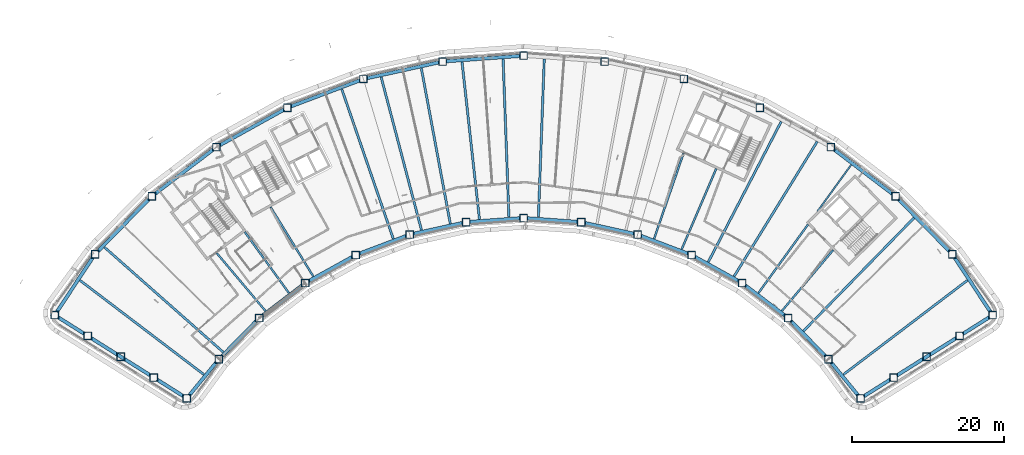
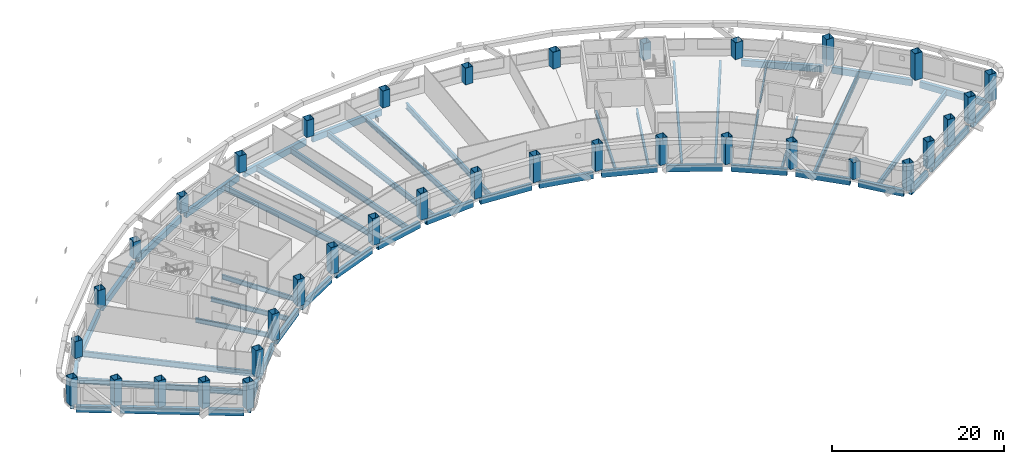
# One storey, part 1 of 19: 50 beams, 36 columns.
"""IFC4 building model written with IfcOpenShell, lengths in metres."""

from ifc_helpers import new_model, si_unit, direction, frame, origin, origin_2d, place, context, subcontext, project, spatial, hollow_rectangle, i_section, extrude, material, material_profile, profile_set, type_object, element, save


model = new_model("IFC4")

# Units and contexts
model_context = context("Model", 3, precision=1e-05, world=origin(), true_north=direction((0.0, 1.0)))
body_context = subcontext(model_context, "Body", "Model", "MODEL_VIEW")
ifc_project = project(units=[si_unit("LENGTHUNIT", "METRE"), si_unit("AREAUNIT", "SQUARE_METRE"), si_unit("VOLUMEUNIT", "CUBIC_METRE"), si_unit("PLANEANGLEUNIT", "RADIAN"), si_unit("MASSUNIT", "GRAM", prefix="KILO")], contexts=[model_context])

# Site, building, storey
site_placement = place(None, origin())
site = spatial("IfcSite", under=ifc_project, at=site_placement, CompositionType="ELEMENT")
building_placement = place(site_placement, origin())
building = spatial("IfcBuilding", under=site, at=building_placement, Name="Tuul Gate Civic Tower", CompositionType="ELEMENT")
storey_placement = place(building_placement, frame((0.0, 0.0, 163.39990234375)))
storey = spatial("IfcBuildingStorey", under=building, at=storey_placement, Name="Level 37", CompositionType="ELEMENT", Elevation=163.39990234375)

# Columns
ifc_material_1 = material(Name="Steel S355", Category="steel")
ifc_material_profile_1 = material_profile(ifc_material_1, hollow_rectangle(XDim=1.0, YDim=1.0, WallThickness=0.0400390625, at=origin_2d()), Name="BOX1000x1000x40")
ifc_profile_set_1 = profile_set([ifc_material_profile_1], Name="Steel S355")
column_type = type_object("IfcColumnType", Name="STR-COLUMN-BOX1000x1000x40", PredefinedType="COLUMN", material=ifc_profile_set_1)
for number, where, z_axis, x_axis, name in (
    (1, (67.044921875, -24.89697265625, 0.0), (0.0, 0.0, 1.0), (1.0, 0.0, 0.0), "Column"),
    (2, (61.74609375, -16.884033203125, 0.0), (0.0, 0.0, 1.0), (1.0, 0.0, 0.0), "Column"),
    (3, (54.27197265625, -9.259033203125, 0.0), (0.0, 0.0, 1.0), (1.0, 0.0, 0.0), "Column"),
):
    element("IfcColumn", number, at=place(storey_placement, frame(where, z_axis=z_axis, x_axis=x_axis)), inside=storey, type_object=column_type, Name=name, PredefinedType="COLUMN", context=body_context, shape_type="SweptSolid", body=[
        extrude(hollow_rectangle(XDim=1.0, YDim=1.0, WallThickness=0.0400390625, at=origin_2d()), origin(), (0.0, 0.0, 1.0), 3.800048828125),
    ])
for number, where, z_axis, x_axis, name in (
    (4, (45.77587890625, -2.791015625, 0.0), (0.0, 0.0, 1.0), (1.0, 0.0, 0.0), "Column"),
    (5, (36.43798828125, 2.385009765625, 0.0), (0.0, 0.0, 1.0), (1.0, 0.0, 0.0), "Column"),
    (6, (26.450927734375, 6.162109375, 0.0), (0.0, 0.0, 1.0), (1.0, 0.0, 0.0), "Column"),
    (7, (16.02294921875, 8.4599609375, 0.0), (0.0, 0.0, 1.0), (1.0, 0.0, 0.0), "Column"),
    (8, (5.3740234375, 9.23193359375, 0.0), (0.0, 0.0, 1.0), (1.0, 0.0, 0.0), "Column"),
    (9, (-5.27490234375, 8.4599609375, 0.0), (0.0, 0.0, 1.0), (1.0, 0.0, 0.0), "Column"),
    (10, (-15.702880859375, 6.162109375, 0.0), (0.0, 0.0, 1.0), (1.0, 0.0, 0.0), "Column"),
    (11, (-25.68994140625, 2.385009765625, 0.0), (0.0, 0.0, 1.0), (1.0, 0.0, 0.0), "Column"),
    (12, (-35.028076171875, -2.791015625, 0.0), (0.0, 0.0, 1.0), (1.0, 0.0, 0.0), "Column"),
    (13, (-43.52392578125, -9.259033203125, 0.0), (0.0, 0.0, 1.0), (1.0, 0.0, 0.0), "Column"),
    (14, (-50.998046875, -16.884033203125, 0.0), (0.0, 0.0, 1.0), (1.0, 0.0, 0.0), "Column"),
):
    element("IfcColumn", number, at=place(storey_placement, frame(where, z_axis=z_axis, x_axis=x_axis)), inside=storey, type_object=column_type, Name=name, PredefinedType="COLUMN", context=body_context, shape_type="SweptSolid", body=[
        extrude(hollow_rectangle(XDim=1.0, YDim=1.0, WallThickness=0.0400390625, at=origin_2d()), origin(), (0.0, 0.0, 1.0), 2.400146484375),
    ])
for number, where, z_axis, x_axis, name in (
    (15, (-56.297119140625, -24.89697265625, 0.0), (0.0, 0.0, 1.0), (1.0, 0.0, 0.0), "Column"),
    (16, (-51.9541015625, -27.631103515625, 0.0), (0.0, 0.0, 1.0), (1.0, 0.0, 0.0), "Column"),
    (17, (-47.612060546875, -30.365966796875, 0.0), (0.0, 0.0, 1.0), (1.0, 0.0, 0.0), "Column"),
    (18, (-43.26904296875, -33.10009765625, 0.0), (0.0, 0.0, 1.0), (1.0, 0.0, 0.0), "Column"),
    (19, (-38.927001953125, -35.8349609375, 0.0), (0.0, 0.0, 1.0), (1.0, 0.0, 0.0), "Column"),
    (20, (-34.70703125, -30.693115234375, 0.0), (0.0, 0.0, 1.0), (1.0, 0.0, 0.0), "Column"),
    (21, (-29.39306640625, -25.27099609375, 0.0), (0.0, 0.0, 1.0), (1.0, 0.0, 0.0), "Column"),
    (22, (-23.35302734375, -20.672119140625, 0.0), (0.0, 0.0, 1.0), (1.0, 0.0, 0.0), "Column"),
    (23, (-16.712890625, -16.991943359375, 0.0), (0.0, 0.0, 1.0), (1.0, 0.0, 0.0), "Column"),
    (24, (-9.612060546875, -14.306884765625, 0.0), (0.0, 0.0, 1.0), (1.0, 0.0, 0.0), "Column"),
    (25, (-2.197998046875, -12.673095703125, 0.0), (0.0, 0.0, 1.0), (1.0, 0.0, 0.0), "Column"),
    (26, (5.3740234375, -12.1240234375, 0.0), (0.0, 0.0, 1.0), (1.0, 0.0, 0.0), "Column"),
    (27, (12.946044921875, -12.673095703125, 0.0), (0.0, 0.0, 1.0), (1.0, 0.0, 0.0), "Column"),
    (28, (20.360107421875, -14.306884765625, 0.0), (0.0, 0.0, 1.0), (1.0, 0.0, 0.0), "Column"),
    (29, (27.4609375, -16.991943359375, 0.0), (0.0, 0.0, 1.0), (1.0, 0.0, 0.0), "Column"),
    (30, (34.10107421875, -20.672119140625, 0.0), (0.0, 0.0, 1.0), (1.0, 0.0, 0.0), "Column"),
    (31, (40.14111328125, -25.27099609375, 0.0), (0.0, 0.0, 1.0), (1.0, 0.0, 0.0), "Column"),
):
    element("IfcColumn", number, at=place(storey_placement, frame(where, z_axis=z_axis, x_axis=x_axis)), inside=storey, type_object=column_type, Name=name, PredefinedType="COLUMN", context=body_context, shape_type="SweptSolid", body=[
        extrude(hollow_rectangle(XDim=1.0, YDim=1.0, WallThickness=0.0400390625, at=origin_2d()), origin(), (0.0, 0.0, 1.0), 3.800048828125),
    ])
column_placement = place(storey_placement, frame((45.455078125, -30.693115234375, 0.0), z_axis=(0.0, 0.0, 1.0), x_axis=(1.0, 0.0, 0.0)))
element("IfcColumn", 32, at=column_placement, inside=storey, type_object=column_type, Name="Column", PredefinedType="COLUMN", context=body_context, shape_type="SweptSolid", body=[
    extrude(hollow_rectangle(XDim=1.0, YDim=1.0, WallThickness=0.0400390625, at=origin_2d()), origin(), (0.0, 0.0, 1.0), 2.400146484375),
])
for number, where, z_axis, x_axis, name in (
    (33, (49.675048828125, -35.8349609375, 0.0), (0.0, 0.0, 1.0), (1.0, 0.0, 0.0), "Column"),
    (34, (54.01708984375, -33.10009765625, 0.0), (0.0, 0.0, 1.0), (1.0, 0.0, 0.0), "Column"),
    (35, (58.360107421875, -30.365966796875, 0.0), (0.0, 0.0, 1.0), (1.0, 0.0, 0.0), "Column"),
    (36, (62.701904296875, -27.631103515625, 0.0), (0.0, 0.0, 1.0), (1.0, 0.0, 0.0), "Column"),
):
    element("IfcColumn", number, at=place(storey_placement, frame(where, z_axis=z_axis, x_axis=x_axis)), inside=storey, type_object=column_type, Name=name, PredefinedType="COLUMN", context=body_context, shape_type="SweptSolid", body=[
        extrude(hollow_rectangle(XDim=1.0, YDim=1.0, WallThickness=0.0400390625, at=origin_2d()), origin(), (0.0, 0.0, 1.0), 3.800048828125),
    ])

# Beams
ifc_material_2 = material(Name="Steel S355", Category="steel")
ifc_material_profile_2 = material_profile(ifc_material_2, i_section(OverallWidth=0.199951171875, OverallDepth=0.5, WebThickness=0.010009765625, FlangeThickness=0.01611328125, at=origin_2d()), Name="PG500x200x10x16")
ifc_profile_set_2 = profile_set([ifc_material_profile_2], Name="Steel S355")
beam_type_1 = type_object("IfcBeamType", Name="STR-FLOOR BEAM-PG500x200x10x16", PredefinedType="BEAM", material=ifc_profile_set_2)
beam_1_placement = place(storey_placement, frame((43.999267578125, -11.26806640625, -0.5498046875), z_axis=(0.586082415156, 0.810251444087, 0.0), x_axis=(-0.810251444087, 0.586082415156, 0.0)))
element("IfcBeam", 37, at=beam_1_placement, inside=storey, type_object=beam_type_1, Name="Floor beam", PredefinedType="BEAM", context=body_context, shape_type="SweptSolid", body=[
    extrude(i_section(OverallWidth=0.199951171875, OverallDepth=0.5, WebThickness=0.010009765625, FlangeThickness=0.01611328125, at=origin_2d()), origin(), (0.0, 0.0, 1.0), 7.573486328125),
])
ifc_material_3 = material(Name="Steel S355", Category="steel")
ifc_material_profile_3 = material_profile(ifc_material_3, i_section(OverallWidth=0.25, OverallDepth=0.64990234375, WebThickness=0.011962890625, FlangeThickness=0.02001953125, at=origin_2d()), Name="PG650x250x12x20")
ifc_profile_set_3 = profile_set([ifc_material_profile_3], Name="Steel S355")
beam_type_2 = type_object("IfcBeamType", Name="STR-FLOOR BEAM-PG650x250x12x20", PredefinedType="BEAM", material=ifc_profile_set_3)
beam_2_placement = place(storey_placement, frame((39.332275390625, -24.341064453125, -0.625), z_axis=(0.644139340378, 0.764908171075, 0.0), x_axis=(-0.764908171075, 0.644139340378, 0.0)))
element("IfcBeam", 38, at=beam_2_placement, inside=storey, type_object=beam_type_2, Name="Floor beam", PredefinedType="BEAM", context=body_context, shape_type="SweptSolid", body=[
    extrude(i_section(OverallWidth=0.25, OverallDepth=0.64990234375, WebThickness=0.011962890625, FlangeThickness=0.02001953125, at=origin_2d()), origin(), (0.0, 0.0, 1.0), 10.45751953125),
])
beam_3_placement = place(storey_placement, frame((36.244140625, -21.989501953125, -0.625), z_axis=(0.586079949971, 0.810253227234, 0.0), x_axis=(-0.810253227234, 0.586079949971, 0.0)))
element("IfcBeam", 39, at=beam_3_placement, inside=storey, type_object=beam_type_2, Name="Floor beam", PredefinedType="BEAM", context=body_context, shape_type="SweptSolid", body=[
    extrude(i_section(OverallWidth=0.25, OverallDepth=0.64990234375, WebThickness=0.011962890625, FlangeThickness=0.02001953125, at=origin_2d()), origin(), (0.0, 0.0, 1.0), 11.128173828125),
])
beam_4_placement = place(storey_placement, frame((26.150634765625, -16.229248046875, -0.625), z_axis=(0.394192627131, 0.919027841099, 0.0), x_axis=(-0.919027841099, 0.394192627131, 0.0)))
element("IfcBeam", 40, at=beam_4_placement, inside=storey, type_object=beam_type_2, Name="Floor beam", PredefinedType="BEAM", context=body_context, shape_type="SweptSolid", body=[
    extrude(i_section(OverallWidth=0.25, OverallDepth=0.64990234375, WebThickness=0.011962890625, FlangeThickness=0.02001953125, at=origin_2d()), origin(), (0.0, 0.0, 1.0), 11.533935546875),
])
beam_5_placement = place(storey_placement, frame((22.520263671875, -14.8564453125, -0.625), z_axis=(0.32548222654, 0.945548158587, 0.0), x_axis=(-0.945548158587, 0.32548222654, 0.0)))
element("IfcBeam", 41, at=beam_5_placement, inside=storey, type_object=beam_type_2, Name="Floor beam", PredefinedType="BEAM", context=body_context, shape_type="SweptSolid", body=[
    extrude(i_section(OverallWidth=0.25, OverallDepth=0.64990234375, WebThickness=0.011962890625, FlangeThickness=0.02001953125, at=origin_2d()), origin(), (0.0, 0.0, 1.0), 11.883544921875),
])
beam_6_placement = place(storey_placement, frame((-22.29248046875, -19.79833984375, -0.625), z_axis=(-0.524846383073, 0.851196965558, 0.0), x_axis=(-0.851196965558, -0.524846383073, 0.0)))
element("IfcBeam", 42, at=beam_6_placement, inside=storey, type_object=beam_type_2, Name="Floor beam", PredefinedType="BEAM", context=body_context, shape_type="SweptSolid", body=[
    extrude(i_section(OverallWidth=0.25, OverallDepth=0.64990234375, WebThickness=0.011962890625, FlangeThickness=0.02001953125, at=origin_2d()), origin(), (0.0, 0.0, 1.0), 10.7275390625),
])
beam_7_placement = place(storey_placement, frame((-25.49609375, -21.989501953125, -0.625), z_axis=(-0.586076139419, 0.810255983504, 0.0), x_axis=(-0.810255983504, -0.586076139419, 0.0)))
element("IfcBeam", 43, at=beam_7_placement, inside=storey, type_object=beam_type_2, Name="Floor beam", PredefinedType="BEAM", context=body_context, shape_type="SweptSolid", body=[
    extrude(i_section(OverallWidth=0.25, OverallDepth=0.64990234375, WebThickness=0.011962890625, FlangeThickness=0.02001953125, at=origin_2d()), origin(), (0.0, 0.0, 1.0), 9.922119140625),
])
beam_8_placement = place(storey_placement, frame((-28.584228515625, -24.341064453125, -0.625), z_axis=(-0.644136502782, 0.764910560644, 0.0), x_axis=(-0.764910560644, -0.644136502782, 0.0)))
element("IfcBeam", 44, at=beam_8_placement, inside=storey, type_object=beam_type_2, Name="Floor beam", PredefinedType="BEAM", context=body_context, shape_type="SweptSolid", body=[
    extrude(i_section(OverallWidth=0.25, OverallDepth=0.64990234375, WebThickness=0.011962890625, FlangeThickness=0.02001953125, at=origin_2d()), origin(), (0.0, 0.0, 1.0), 9.931396484375),
])
ifc_material_4 = material(Name="Steel S355", Category="steel")
ifc_material_profile_4 = material_profile(ifc_material_4, i_section(OverallWidth=0.300048828125, OverallDepth=0.800048828125, WebThickness=0.013916015625, FlangeThickness=0.02490234375, at=origin_2d()), Name="PG800x300x14x25")
ifc_profile_set_4 = profile_set([ifc_material_profile_4], Name="Steel S355")
beam_type_3 = type_object("IfcBeamType", Name="STR-FLOOR BEAM-PG800x300x14x25", PredefinedType="BEAM", material=ifc_profile_set_4)
beam_9_placement = place(storey_placement, frame((47.4287109375, -32.703857421875, -0.699951171875), z_axis=(0.796150928405, 0.60509809056, 0.0), x_axis=(-0.60509809056, 0.796150928405, 0.0)))
element("IfcBeam", 45, at=beam_9_placement, inside=storey, type_object=beam_type_3, Name="Floor beam", PredefinedType="BEAM", context=body_context, shape_type="SweptSolid", body=[
    extrude(i_section(OverallWidth=0.300048828125, OverallDepth=0.800048828125, WebThickness=0.013916015625, FlangeThickness=0.02490234375, at=origin_2d()), origin(), (0.0, 0.0, 1.0), 20.462646484375),
])
beam_10_placement = place(storey_placement, frame((42.172607421875, -26.986572265625, -0.699951171875), z_axis=(0.698684495675, 0.715429923544, 0.0), x_axis=(-0.715429923544, 0.698684495675, 0.0)))
element("IfcBeam", 46, at=beam_10_placement, inside=storey, type_object=beam_type_3, Name="Floor beam", PredefinedType="BEAM", context=body_context, shape_type="SweptSolid", body=[
    extrude(i_section(OverallWidth=0.300048828125, OverallDepth=0.800048828125, WebThickness=0.013916015625, FlangeThickness=0.02490234375, at=origin_2d()), origin(), (0.0, 0.0, 1.0), 20.804931640625),
])
beam_11_placement = place(storey_placement, frame((33.040283203125, -19.79833984375, -0.699951171875), z_axis=(0.524860669537, 0.851188156387, 0.0), x_axis=(-0.851188156387, 0.524860669537, 0.0)))
element("IfcBeam", 47, at=beam_11_placement, inside=storey, type_object=beam_type_3, Name="Floor beam", PredefinedType="BEAM", context=body_context, shape_type="SweptSolid", body=[
    extrude(i_section(OverallWidth=0.300048828125, OverallDepth=0.800048828125, WebThickness=0.013916015625, FlangeThickness=0.02490234375, at=origin_2d()), origin(), (0.0, 0.0, 1.0), 20.821533203125),
])
beam_12_placement = place(storey_placement, frame((29.6455078125, -17.916748046875, -0.699951171875), z_axis=(0.460777413818, 0.887515732207, 0.0), x_axis=(-0.887515732207, 0.460777413818, 0.0)))
element("IfcBeam", 48, at=beam_12_placement, inside=storey, type_object=beam_type_3, Name="Floor beam", PredefinedType="BEAM", context=body_context, shape_type="SweptSolid", body=[
    extrude(i_section(OverallWidth=0.300048828125, OverallDepth=0.800048828125, WebThickness=0.013916015625, FlangeThickness=0.02490234375, at=origin_2d()), origin(), (0.0, 0.0, 1.0), 20.80712890625),
])
for number, where, z_axis, x_axis, name in (
    (49, (7.314453125, -12.013916015625, -0.699951171875), (0.036820764609, 0.999321885727, 0.0), (-0.999321885727, 0.036820764609, 0.0), "Floor beam"),
    (50, (3.43359375, -12.013916015625, -0.699951171875), (-0.036832478792, 0.999321454041, 0.0), (-0.999321454041, -0.036832478792, 0.0), "Floor beam"),
):
    element("IfcBeam", number, at=place(storey_placement, frame(where, z_axis=z_axis, x_axis=x_axis)), inside=storey, type_object=beam_type_3, Name=name, PredefinedType="BEAM", context=body_context, shape_type="SweptSolid", body=[
        extrude(i_section(OverallWidth=0.300048828125, OverallDepth=0.800048828125, WebThickness=0.013916015625, FlangeThickness=0.02490234375, at=origin_2d()), origin(), (0.0, 0.0, 1.0), 20.813232421875),
    ])
beam_13_placement = place(storey_placement, frame((-0.437255859375, -12.294677734375, -0.699951171875), z_axis=(-0.110287344613, 0.993899744249, 0.0), x_axis=(-0.993899744249, -0.110287344613, 0.0)))
element("IfcBeam", 51, at=beam_13_placement, inside=storey, type_object=beam_type_3, Name="Floor beam", PredefinedType="BEAM", context=body_context, shape_type="SweptSolid", body=[
    extrude(i_section(OverallWidth=0.300048828125, OverallDepth=0.800048828125, WebThickness=0.013916015625, FlangeThickness=0.02490234375, at=origin_2d()), origin(), (0.0, 0.0, 1.0), 20.815185546875),
])
beam_14_placement = place(storey_placement, frame((-4.2744140625, -12.874755859375, -0.699951171875), z_axis=(-0.183147342328, 0.98308547492, 0.0), x_axis=(-0.98308547492, -0.183147342328, 0.0)))
element("IfcBeam", 52, at=beam_14_placement, inside=storey, type_object=beam_type_3, Name="Floor beam", PredefinedType="BEAM", context=body_context, shape_type="SweptSolid", body=[
    extrude(i_section(OverallWidth=0.300048828125, OverallDepth=0.800048828125, WebThickness=0.013916015625, FlangeThickness=0.02490234375, at=origin_2d()), origin(), (0.0, 0.0, 1.0), 20.811279296875),
])
beam_15_placement = place(storey_placement, frame((-8.064697265625, -13.7099609375, -0.699951171875), z_axis=(-0.255004720301, 0.96693980817, 0.0), x_axis=(-0.96693980817, -0.255004720301, 0.0)))
element("IfcBeam", 53, at=beam_15_placement, inside=storey, type_object=beam_type_3, Name="Floor beam", PredefinedType="BEAM", context=body_context, shape_type="SweptSolid", body=[
    extrude(i_section(OverallWidth=0.300048828125, OverallDepth=0.800048828125, WebThickness=0.013916015625, FlangeThickness=0.02490234375, at=origin_2d()), origin(), (0.0, 0.0, 1.0), 20.817626953125),
])
beam_16_placement = place(storey_placement, frame((-11.772216796875, -14.8564453125, -0.699951171875), z_axis=(-0.325486974479, 0.945546524209, 0.0), x_axis=(-0.945546524209, -0.325486974479, 0.0)))
element("IfcBeam", 54, at=beam_16_placement, inside=storey, type_object=beam_type_3, Name="Floor beam", PredefinedType="BEAM", context=body_context, shape_type="SweptSolid", body=[
    extrude(i_section(OverallWidth=0.300048828125, OverallDepth=0.800048828125, WebThickness=0.013916015625, FlangeThickness=0.02490234375, at=origin_2d()), origin(), (0.0, 0.0, 1.0), 20.809326171875),
])
beam_17_placement = place(storey_placement, frame((-34.1416015625, -29.759033203125, -0.699951171875), z_axis=(-0.749453243269, 0.662057275584, 0.0), x_axis=(-0.662057275584, -0.749453243269, 0.0)))
element("IfcBeam", 55, at=beam_17_placement, inside=storey, type_object=beam_type_3, Name="Floor beam", PredefinedType="BEAM", context=body_context, shape_type="SweptSolid", body=[
    extrude(i_section(OverallWidth=0.300048828125, OverallDepth=0.800048828125, WebThickness=0.013916015625, FlangeThickness=0.02490234375, at=origin_2d()), origin(), (0.0, 0.0, 1.0), 20.828369140625),
])
beam_18_placement = place(storey_placement, frame((-36.6806640625, -32.703857421875, -0.699951171875), z_axis=(-0.796150928405, 0.60509809056, 0.0), x_axis=(-0.60509809056, -0.796150928405, 0.0)))
element("IfcBeam", 56, at=beam_18_placement, inside=storey, type_object=beam_type_3, Name="Floor beam", PredefinedType="BEAM", context=body_context, shape_type="SweptSolid", body=[
    extrude(i_section(OverallWidth=0.300048828125, OverallDepth=0.800048828125, WebThickness=0.013916015625, FlangeThickness=0.02490234375, at=origin_2d()), origin(), (0.0, 0.0, 1.0), 20.462646484375),
])
ifc_material_5 = material(Name="Steel S355", Category="steel")
ifc_material_profile_5 = material_profile(ifc_material_5, hollow_rectangle(XDim=0.449951171875, YDim=0.89990234375, WallThickness=0.02490234375, at=origin_2d()), Name="BOX900x450x25")
ifc_profile_set_5 = profile_set([ifc_material_profile_5], Name="Steel S355")
beam_type_4 = type_object("IfcBeamType", Name="STR-SPANDREL BEAM-BOX900x450x25", PredefinedType="BEAM", material=ifc_profile_set_5)
beam_19_placement = place(storey_placement, frame((66.769287109375, -24.47998046875, -0.75), z_axis=(-0.551606651845, 0.834104370951, 0.0), x_axis=(-0.834104370951, -0.551606651845, 0.0)))
element("IfcBeam", 57, at=beam_19_placement, inside=storey, type_object=beam_type_4, Name="Spandrel beam", PredefinedType="BEAM", context=body_context, shape_type="SweptSolid", body=[
    extrude(hollow_rectangle(XDim=0.449951171875, YDim=0.89990234375, WallThickness=0.02490234375, at=origin_2d()), origin(), (0.0, 0.0, 1.0), 8.606689453125),
])
beam_20_placement = place(storey_placement, frame((61.39599609375, -16.52685546875, -0.75), z_axis=(-0.699994726763, 0.714148011622, 0.0), x_axis=(-0.714148011622, -0.699994726763, 0.0)))
element("IfcBeam", 58, at=beam_20_placement, inside=storey, type_object=beam_type_4, Name="Spandrel beam", PredefinedType="BEAM", context=body_context, shape_type="SweptSolid", body=[
    extrude(hollow_rectangle(XDim=0.449951171875, YDim=0.89990234375, WallThickness=0.02490234375, at=origin_2d()), origin(), (0.0, 0.0, 1.0), 9.677001953125),
])
beam_21_placement = place(storey_placement, frame((53.874267578125, -8.9560546875, -0.75), z_axis=(-0.795665611116, 0.605736110273, 0.0), x_axis=(-0.605736110273, -0.795665611116, 0.0)))
element("IfcBeam", 59, at=beam_21_placement, inside=storey, type_object=beam_type_4, Name="Spandrel beam", PredefinedType="BEAM", context=body_context, shape_type="SweptSolid", body=[
    extrude(hollow_rectangle(XDim=0.449951171875, YDim=0.89990234375, WallThickness=0.02490234375, at=origin_2d()), origin(), (0.0, 0.0, 1.0), 9.677978515625),
])
beam_22_placement = place(storey_placement, frame((4.875244140625, 9.19580078125, -0.75), z_axis=(-0.997382449667, -0.072306632453, 0.0), x_axis=(0.072306632453, -0.997382449667, 0.0)))
element("IfcBeam", 60, at=beam_22_placement, inside=storey, type_object=beam_type_4, Name="Spandrel beam", PredefinedType="BEAM", context=body_context, shape_type="SweptSolid", body=[
    extrude(hollow_rectangle(XDim=0.449951171875, YDim=0.89990234375, WallThickness=0.02490234375, at=origin_2d()), origin(), (0.0, 0.0, 1.0), 9.677001953125),
])
beam_23_placement = place(storey_placement, frame((-5.76318359375, 8.352294921875, -0.75), z_axis=(-0.976569557508, -0.215201996619, 0.0), x_axis=(0.215201996619, -0.976569557508, 0.0)))
element("IfcBeam", 61, at=beam_23_placement, inside=storey, type_object=beam_type_4, Name="Spandrel beam", PredefinedType="BEAM", context=body_context, shape_type="SweptSolid", body=[
    extrude(hollow_rectangle(XDim=0.449951171875, YDim=0.89990234375, WallThickness=0.02490234375, at=origin_2d()), origin(), (0.0, 0.0, 1.0), 9.67822265625),
])
beam_24_placement = place(storey_placement, frame((-16.170654296875, 5.985107421875, -0.75), z_axis=(-0.935342665374, -0.353742983436, 0.0), x_axis=(0.353742983436, -0.935342665374, 0.0)))
element("IfcBeam", 62, at=beam_24_placement, inside=storey, type_object=beam_type_4, Name="Spandrel beam", PredefinedType="BEAM", context=body_context, shape_type="SweptSolid", body=[
    extrude(hollow_rectangle(XDim=0.449951171875, YDim=0.89990234375, WallThickness=0.02490234375, at=origin_2d()), origin(), (0.0, 0.0, 1.0), 9.677490234375),
])
beam_25_placement = place(storey_placement, frame((-26.127197265625, 2.142578125, -0.75), z_axis=(-0.874626955885, -0.484796542933, 0.0), x_axis=(0.484796542933, -0.874626955885, 0.0)))
element("IfcBeam", 63, at=beam_25_placement, inside=storey, type_object=beam_type_4, Name="Spandrel beam", PredefinedType="BEAM", context=body_context, shape_type="SweptSolid", body=[
    extrude(hollow_rectangle(XDim=0.449951171875, YDim=0.89990234375, WallThickness=0.02490234375, at=origin_2d()), origin(), (0.0, 0.0, 1.0), 9.676513671875),
])
beam_26_placement = place(storey_placement, frame((-35.42578125, -3.09375, -0.75), z_axis=(-0.795665611116, -0.605736110273, 0.0), x_axis=(0.605736110273, -0.795665611116, 0.0)))
element("IfcBeam", 64, at=beam_26_placement, inside=storey, type_object=beam_type_4, Name="Spandrel beam", PredefinedType="BEAM", context=body_context, shape_type="SweptSolid", body=[
    extrude(hollow_rectangle(XDim=0.449951171875, YDim=0.89990234375, WallThickness=0.02490234375, at=origin_2d()), origin(), (0.0, 0.0, 1.0), 9.677978515625),
])
beam_27_placement = place(storey_placement, frame((-43.8740234375, -9.615966796875, -0.75), z_axis=(-0.699994726763, -0.714148011622, 0.0), x_axis=(0.714148011622, -0.699994726763, 0.0)))
element("IfcBeam", 65, at=beam_27_placement, inside=storey, type_object=beam_type_4, Name="Spandrel beam", PredefinedType="BEAM", context=body_context, shape_type="SweptSolid", body=[
    extrude(hollow_rectangle(XDim=0.449951171875, YDim=0.89990234375, WallThickness=0.02490234375, at=origin_2d()), origin(), (0.0, 0.0, 1.0), 9.677001953125),
])
beam_28_placement = place(storey_placement, frame((-51.273681640625, -17.301025390625, -0.75), z_axis=(-0.551606651845, -0.834104370951, 0.0), x_axis=(0.834104370951, -0.551606651845, 0.0)))
element("IfcBeam", 66, at=beam_28_placement, inside=storey, type_object=beam_type_4, Name="Spandrel beam", PredefinedType="BEAM", context=body_context, shape_type="SweptSolid", body=[
    extrude(hollow_rectangle(XDim=0.449951171875, YDim=0.89990234375, WallThickness=0.02490234375, at=origin_2d()), origin(), (0.0, 0.0, 1.0), 8.606689453125),
])
beam_29_placement = place(storey_placement, frame((-55.873779296875, -25.163330078125, -0.75), z_axis=(0.846247640598, -0.532789762273, 0.0), x_axis=(0.532789762273, 0.846247640598, 0.0)))
element("IfcBeam", 67, at=beam_29_placement, inside=storey, type_object=beam_type_4, Name="Spandrel beam", PredefinedType="BEAM", context=body_context, shape_type="SweptSolid", body=[
    extrude(hollow_rectangle(XDim=0.449951171875, YDim=0.89990234375, WallThickness=0.02490234375, at=origin_2d()), origin(), (0.0, 0.0, 1.0), 4.1318359375),
])
beam_30_placement = place(storey_placement, frame((-51.531005859375, -27.8974609375, -0.75), z_axis=(0.846210833603, -0.532848219565, 0.0), x_axis=(0.532848219565, 0.846210833603, 0.0)))
element("IfcBeam", 68, at=beam_30_placement, inside=storey, type_object=beam_type_4, Name="Spandrel beam", PredefinedType="BEAM", context=body_context, shape_type="SweptSolid", body=[
    extrude(hollow_rectangle(XDim=0.449951171875, YDim=0.89990234375, WallThickness=0.02490234375, at=origin_2d()), origin(), (0.0, 0.0, 1.0), 9.263427734375),
])
beam_31_placement = place(storey_placement, frame((-42.845947265625, -33.366455078125, -0.75), z_axis=(0.846117367302, -0.532996623582, 0.0), x_axis=(0.532996623582, 0.846117367302, 0.0)))
element("IfcBeam", 69, at=beam_31_placement, inside=storey, type_object=beam_type_4, Name="Spandrel beam", PredefinedType="BEAM", context=body_context, shape_type="SweptSolid", body=[
    extrude(hollow_rectangle(XDim=0.449951171875, YDim=0.89990234375, WallThickness=0.02490234375, at=origin_2d()), origin(), (0.0, 0.0, 1.0), 4.131591796875),
])
beam_32_placement = place(storey_placement, frame((-38.60986328125, -35.448486328125, -0.75), z_axis=(0.634417883175, 0.772990264821, 0.0), x_axis=(-0.772990264821, 0.634417883175, 0.0)))
element("IfcBeam", 70, at=beam_32_placement, inside=storey, type_object=beam_type_4, Name="Spandrel beam", PredefinedType="BEAM", context=body_context, shape_type="SweptSolid", body=[
    extrude(hollow_rectangle(XDim=0.449951171875, YDim=0.89990234375, WallThickness=0.02490234375, at=origin_2d()), origin(), (0.0, 0.0, 1.0), 5.65185546875),
])
beam_33_placement = place(storey_placement, frame((-34.35693359375, -30.3359375, -0.75), z_axis=(0.699959943252, 0.714182104118, 0.0), x_axis=(-0.714182104118, 0.699959943252, 0.0)))
element("IfcBeam", 71, at=beam_33_placement, inside=storey, type_object=beam_type_4, Name="Spandrel beam", PredefinedType="BEAM", context=body_context, shape_type="SweptSolid", body=[
    extrude(hollow_rectangle(XDim=0.449951171875, YDim=0.89990234375, WallThickness=0.02490234375, at=origin_2d()), origin(), (0.0, 0.0, 1.0), 6.591796875),
])
for number, where, z_axis, x_axis, name in (
    (72, (-28.9951171875, -24.968017578125, -0.75), (0.795618733299, 0.605797681758, 0.0), (-0.605797681758, 0.795618733299, 0.0), "Spandrel beam"),
    (73, (-22.915771484375, -20.4296875, -0.75), (0.874651244821, 0.484752720399, 0.0), (-0.484752720399, 0.874651244821, 0.0), "Spandrel beam"),
):
    element("IfcBeam", number, at=place(storey_placement, frame(where, z_axis=z_axis, x_axis=x_axis)), inside=storey, type_object=beam_type_4, Name=name, PredefinedType="BEAM", context=body_context, shape_type="SweptSolid", body=[
        extrude(hollow_rectangle(XDim=0.449951171875, YDim=0.89990234375, WallThickness=0.02490234375, at=origin_2d()), origin(), (0.0, 0.0, 1.0), 6.591552734375),
    ])
beam_34_placement = place(storey_placement, frame((-16.245361328125, -16.815185546875, -0.75), z_axis=(0.935371380161, 0.353667048472, 0.0), x_axis=(-0.353667048472, 0.935371380161, 0.0)))
element("IfcBeam", 74, at=beam_34_placement, inside=storey, type_object=beam_type_4, Name="Spandrel beam", PredefinedType="BEAM", context=body_context, shape_type="SweptSolid", body=[
    extrude(hollow_rectangle(XDim=0.449951171875, YDim=0.89990234375, WallThickness=0.02490234375, at=origin_2d()), origin(), (0.0, 0.0, 1.0), 6.591796875),
])
beam_35_placement = place(storey_placement, frame((-9.123779296875, -14.199462890625, -0.75), z_axis=(0.97655858912, 0.215251764258, 0.0), x_axis=(-0.215251764258, 0.97655858912, 0.0)))
element("IfcBeam", 75, at=beam_35_placement, inside=storey, type_object=beam_type_4, Name="Spandrel beam", PredefinedType="BEAM", context=body_context, shape_type="SweptSolid", body=[
    extrude(hollow_rectangle(XDim=0.449951171875, YDim=0.89990234375, WallThickness=0.02490234375, at=origin_2d()), origin(), (0.0, 0.0, 1.0), 6.592041015625),
])
for number, where, z_axis, x_axis, name in (
    (76, (-1.69921875, -12.636962890625, -0.75), (0.997380460519, 0.072334065112, 0.0), (-0.072334065112, 0.997380460519, 0.0), "Spandrel beam"),
    (77, (5.872802734375, -12.16015625, -0.75), (0.997380460519, -0.072334065112, 0.0), (0.072334065112, 0.997380460519, 0.0), "Spandrel beam"),
):
    element("IfcBeam", number, at=place(storey_placement, frame(where, z_axis=z_axis, x_axis=x_axis)), inside=storey, type_object=beam_type_4, Name=name, PredefinedType="BEAM", context=body_context, shape_type="SweptSolid", body=[
        extrude(hollow_rectangle(XDim=0.449951171875, YDim=0.89990234375, WallThickness=0.02490234375, at=origin_2d()), origin(), (0.0, 0.0, 1.0), 6.591796875),
    ])
beam_36_placement = place(storey_placement, frame((13.434326171875, -12.780517578125, -0.75), z_axis=(0.97655858912, -0.215251764258, 0.0), x_axis=(0.215251764258, 0.97655858912, 0.0)))
element("IfcBeam", 78, at=beam_36_placement, inside=storey, type_object=beam_type_4, Name="Spandrel beam", PredefinedType="BEAM", context=body_context, shape_type="SweptSolid", body=[
    extrude(hollow_rectangle(XDim=0.449951171875, YDim=0.89990234375, WallThickness=0.02490234375, at=origin_2d()), origin(), (0.0, 0.0, 1.0), 6.592041015625),
])
beam_37_placement = place(storey_placement, frame((20.82763671875, -14.48388671875, -0.75), z_axis=(0.935371380161, -0.353667048472, 0.0), x_axis=(0.353667048472, 0.935371380161, 0.0)))
element("IfcBeam", 79, at=beam_37_placement, inside=storey, type_object=beam_type_4, Name="Spandrel beam", PredefinedType="BEAM", context=body_context, shape_type="SweptSolid", body=[
    extrude(hollow_rectangle(XDim=0.449951171875, YDim=0.89990234375, WallThickness=0.02490234375, at=origin_2d()), origin(), (0.0, 0.0, 1.0), 6.591796875),
])
beam_38_placement = place(storey_placement, frame((27.8984375, -17.234375, -0.75), z_axis=(0.874642541027, -0.484768424535, 0.0), x_axis=(0.484768424535, 0.874642541027, 0.0)))
element("IfcBeam", 80, at=beam_38_placement, inside=storey, type_object=beam_type_4, Name="Spandrel beam", PredefinedType="BEAM", context=body_context, shape_type="SweptSolid", body=[
    extrude(hollow_rectangle(XDim=0.449951171875, YDim=0.89990234375, WallThickness=0.02490234375, at=origin_2d()), origin(), (0.0, 0.0, 1.0), 6.59130859375),
])
beam_39_placement = place(storey_placement, frame((34.498779296875, -20.974853515625, -0.75), z_axis=(0.795618733299, -0.605797681758, 0.0), x_axis=(0.605797681758, 0.795618733299, 0.0)))
element("IfcBeam", 81, at=beam_39_placement, inside=storey, type_object=beam_type_4, Name="Spandrel beam", PredefinedType="BEAM", context=body_context, shape_type="SweptSolid", body=[
    extrude(hollow_rectangle(XDim=0.449951171875, YDim=0.89990234375, WallThickness=0.02490234375, at=origin_2d()), origin(), (0.0, 0.0, 1.0), 6.591552734375),
])
beam_40_placement = place(storey_placement, frame((40.490966796875, -25.628173828125, -0.75), z_axis=(0.699959943252, -0.714182104118, 0.0), x_axis=(0.714182104118, 0.699959943252, 0.0)))
element("IfcBeam", 82, at=beam_40_placement, inside=storey, type_object=beam_type_4, Name="Spandrel beam", PredefinedType="BEAM", context=body_context, shape_type="SweptSolid", body=[
    extrude(hollow_rectangle(XDim=0.449951171875, YDim=0.89990234375, WallThickness=0.02490234375, at=origin_2d()), origin(), (0.0, 0.0, 1.0), 6.591796875),
])
beam_41_placement = place(storey_placement, frame((45.772216796875, -31.07958984375, -0.75), z_axis=(0.634417883175, -0.772990264821, 0.0), x_axis=(0.772990264821, 0.634417883175, 0.0)))
element("IfcBeam", 83, at=beam_41_placement, inside=storey, type_object=beam_type_4, Name="Spandrel beam", PredefinedType="BEAM", context=body_context, shape_type="SweptSolid", body=[
    extrude(hollow_rectangle(XDim=0.449951171875, YDim=0.89990234375, WallThickness=0.02490234375, at=origin_2d()), origin(), (0.0, 0.0, 1.0), 5.65185546875),
])
beam_42_placement = place(storey_placement, frame((50.09814453125, -35.568603515625, -0.75), z_axis=(0.846117367302, 0.532996623582, 0.0), x_axis=(-0.532996623582, 0.846117367302, 0.0)))
element("IfcBeam", 84, at=beam_42_placement, inside=storey, type_object=beam_type_4, Name="Spandrel beam", PredefinedType="BEAM", context=body_context, shape_type="SweptSolid", body=[
    extrude(hollow_rectangle(XDim=0.449951171875, YDim=0.89990234375, WallThickness=0.02490234375, at=origin_2d()), origin(), (0.0, 0.0, 1.0), 4.131591796875),
])
beam_43_placement = place(storey_placement, frame((54.440185546875, -32.83349609375, -0.75), z_axis=(0.846203350411, 0.532860103361, 0.0), x_axis=(-0.532860103361, 0.846203350411, 0.0)))
element("IfcBeam", 85, at=beam_43_placement, inside=storey, type_object=beam_type_4, Name="Spandrel beam", PredefinedType="BEAM", context=body_context, shape_type="SweptSolid", body=[
    extrude(hollow_rectangle(XDim=0.449951171875, YDim=0.89990234375, WallThickness=0.02490234375, at=origin_2d()), origin(), (0.0, 0.0, 1.0), 9.26318359375),
])
beam_44_placement = place(storey_placement, frame((63.125244140625, -27.36474609375, -0.75), z_axis=(0.846247640598, 0.532789762273, 0.0), x_axis=(-0.532789762273, 0.846247640598, 0.0)))
element("IfcBeam", 86, at=beam_44_placement, inside=storey, type_object=beam_type_4, Name="Spandrel beam", PredefinedType="BEAM", context=body_context, shape_type="SweptSolid", body=[
    extrude(hollow_rectangle(XDim=0.449951171875, YDim=0.89990234375, WallThickness=0.02490234375, at=origin_2d()), origin(), (0.0, 0.0, 1.0), 4.1318359375),
])

save(model, "model.ifc")
